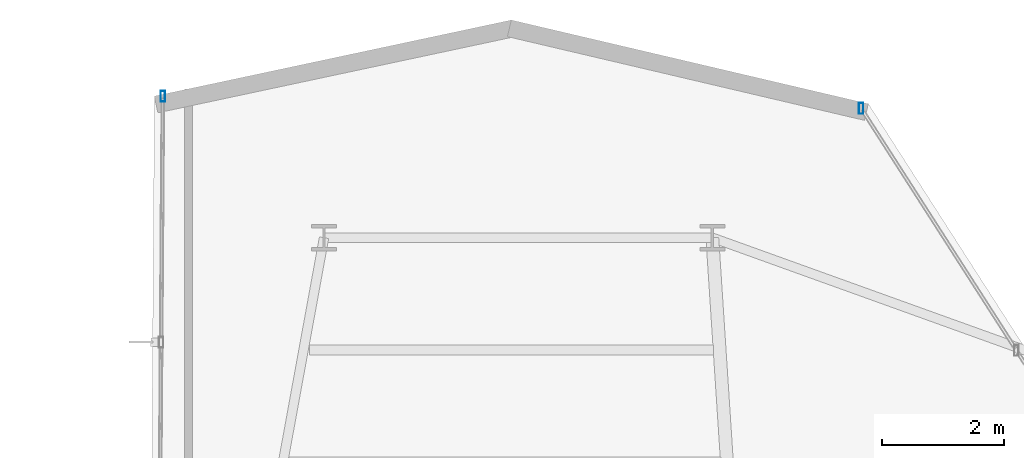
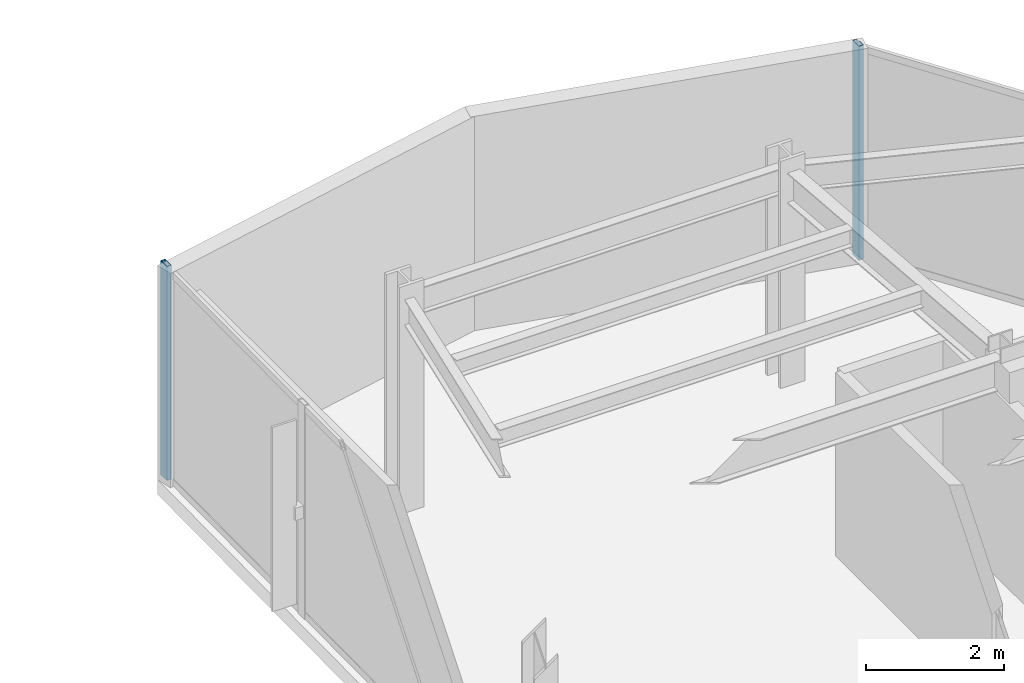
# One storey, part 17 of 23: 2 members, 2 elements without a shape of their own.
"""IFC4 building model written with IfcOpenShell, lengths in metres."""

from ifc_helpers import new_model, si_unit, direction, frame, origin, origin_2d, place, context, subcontext, project, spatial, hollow_rectangle, extrude, material, layer, layer_set, material_profile, profile_set, type_object, element, aggregate, save


model = new_model("IFC4")

# Units and contexts
model_context = context("Model", 3, precision=1e-05, world=origin(), true_north=direction((0.0, 1.0)))
body_context = subcontext(model_context, "Body", "Model", "MODEL_VIEW")
ifc_project = project(units=[si_unit("LENGTHUNIT", "METRE"), si_unit("AREAUNIT", "SQUARE_METRE"), si_unit("VOLUMEUNIT", "CUBIC_METRE"), si_unit("PLANEANGLEUNIT", "RADIAN"), si_unit("MASSUNIT", "GRAM", prefix="KILO")], contexts=[model_context])

# Site, building, storey
site_placement = place(None, origin())
site = spatial("IfcSite", under=ifc_project, at=site_placement, CompositionType="ELEMENT")
building_placement = place(site_placement, origin())
building = spatial("IfcBuilding", under=site, at=building_placement, Name="Veymaron Broadcast Tower", CompositionType="ELEMENT")
storey_placement = place(building_placement, frame((0.0, 0.0, 195.89990234375)))
storey = spatial("IfcBuildingStorey", under=building, at=storey_placement, Name="L45", CompositionType="ELEMENT", Elevation=195.89990234375)

# Curtain wall, member
ifc_material_1 = material(Name="Anodised aluminium AA 6063-T6 and laminated low-E dark glass", Category="aluminium")
ifc_layer = layer(ifc_material_1, 0.179931640625)
ifc_layer_set = layer_set([ifc_layer], Name="Anodised aluminium AA 6063-T6 and laminated low-E dark glass")
curtain_wall_type = type_object("IfcCurtainWallType", Name="CW-SYS-05", PredefinedType="NOTDEFINED", material=ifc_layer_set)
curtain_wall_1_placement = place(storey_placement, origin())
curtain_wall_1 = element("IfcCurtainWall", 1, at=curtain_wall_1_placement, inside=storey, type_object=curtain_wall_type, Name="L45 dark-glass curtain wall CW-L45-E5-1", PredefinedType="NOTDEFINED")
ifc_material_2 = material(Name="Anodised aluminium AA 6063-T6", Category="aluminium")
ifc_material_profile = material_profile(ifc_material_2, hollow_rectangle(XDim=0.074951171875, YDim=0.179931640625, WallThickness=0.0048828125, at=origin_2d()), Name="AL180X75X5")
ifc_profile_set = profile_set([ifc_material_profile], Name="Anodised aluminium AA 6063-T6")
member_type = type_object("IfcMemberType", Name="CW-MUL-02", PredefinedType="MULLION", material=ifc_profile_set)
member_1_placement = place(storey_placement, frame((41.06884765625, 39.87451171875, 0.0), z_axis=(0.0, 0.0, 1.0), x_axis=(1.0, 0.0, 0.0)))
member_1 = element("IfcMember", 2, at=member_1_placement, type_object=member_type, Name="CW-L45-E5-1 mullion 2", PredefinedType="MULLION", context=body_context, shape_type="SweptSolid", body=[
    extrude(hollow_rectangle(XDim=0.074951171875, YDim=0.179931640625, WallThickness=0.0048828125, at=origin_2d()), origin(), (0.0, 0.0, 1.0), 3.7900390625),
])
aggregate(curtain_wall_1, [member_1])

curtain_wall_2_placement = place(storey_placement, origin())
curtain_wall_2 = element("IfcCurtainWall", 3, at=curtain_wall_2_placement, inside=storey, type_object=curtain_wall_type, Name="L45 dark-glass curtain wall CW-L45-E8-1", PredefinedType="NOTDEFINED")
member_2_placement = place(storey_placement, frame((29.603271484375, 40.073974609375, 0.0), z_axis=(0.0, 0.0, 1.0), x_axis=(1.0, 0.0, 0.0)))
member_2 = element("IfcMember", 4, at=member_2_placement, type_object=member_type, Name="CW-L45-E8-1 mullion 0", PredefinedType="MULLION", context=body_context, shape_type="SweptSolid", body=[
    extrude(hollow_rectangle(XDim=0.074951171875, YDim=0.179931640625, WallThickness=0.0048828125, at=origin_2d()), origin(), (0.0, 0.0, 1.0), 3.7900390625),
])
aggregate(curtain_wall_2, [member_2])

save(model, "model.ifc")
